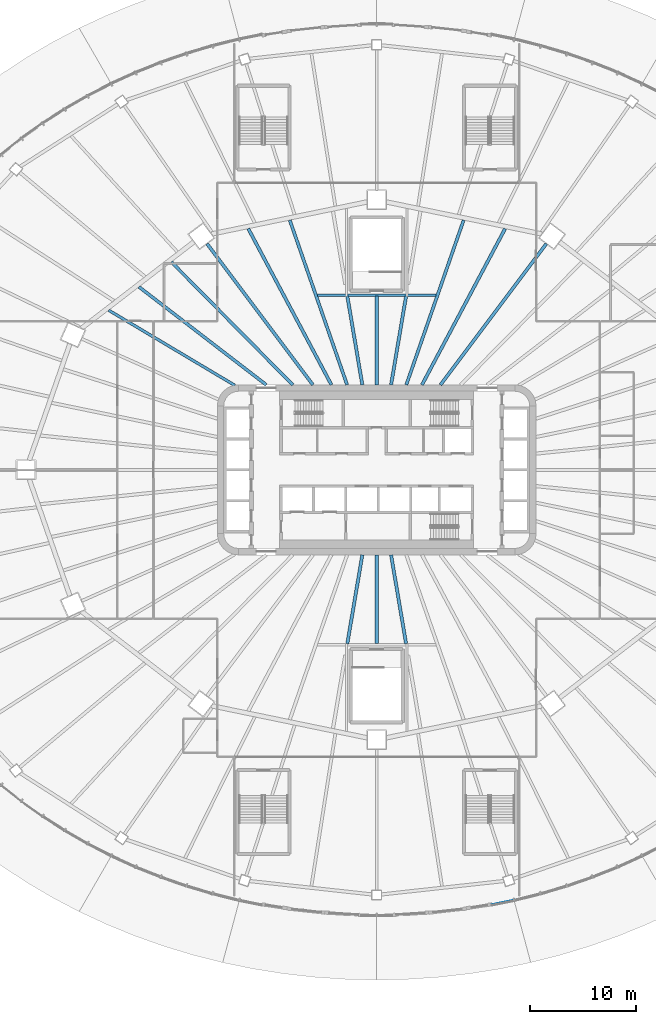
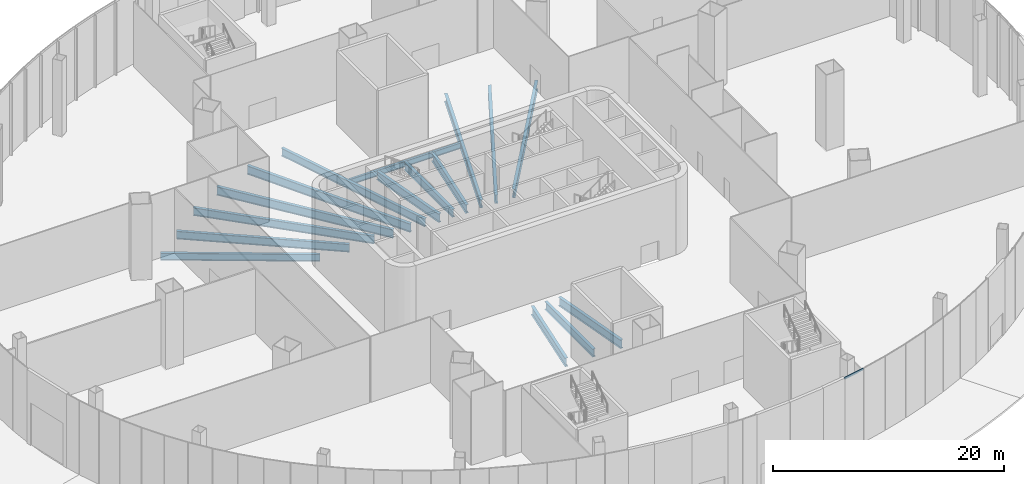
# One storey, part 5 of 36: 16 beams, 1 member, 1 element without a shape of its own.
"""IFC4 building model written with IfcOpenShell, lengths in metres."""

from ifc_helpers import new_model, si_unit, direction, frame, origin, origin_2d, place, context, subcontext, project, spatial, rectangle, i_section, extrude, material, layer, layer_set, material_profile, profile_set, type_object, element, aggregate, save


model = new_model("IFC4")

# Units and contexts
model_context = context("Model", 3, precision=1e-05, world=origin(), true_north=direction((0.0, 1.0)))
body_context = subcontext(model_context, "Body", "Model", "MODEL_VIEW")
ifc_project = project(units=[si_unit("LENGTHUNIT", "METRE"), si_unit("AREAUNIT", "SQUARE_METRE"), si_unit("VOLUMEUNIT", "CUBIC_METRE"), si_unit("PLANEANGLEUNIT", "RADIAN"), si_unit("MASSUNIT", "GRAM", prefix="KILO")], contexts=[model_context])

# Site, building, storey
site_placement = place(None, origin())
site = spatial("IfcSite", under=ifc_project, at=site_placement, CompositionType="ELEMENT")
building_placement = place(site_placement, origin())
building = spatial("IfcBuilding", under=site, at=building_placement, Name="Sahrelin Media Tower", CompositionType="ELEMENT")
storey_placement = place(building_placement, origin())
storey = spatial("IfcBuildingStorey", under=building, at=storey_placement, Name="L00", CompositionType="ELEMENT", Elevation=0.0)

# Beams
ifc_material_1 = material(Name="Steel S355", Category="steel")
ifc_material_profile_1 = material_profile(ifc_material_1, i_section(OverallWidth=0.2275390625, OverallDepth=0.6025390625, WebThickness=0.010498046875, FlangeThickness=0.014892578125, FilletRadius=0.0126953125, at=origin_2d()), Name="UB 610x229x101")
ifc_profile_set_1 = profile_set([ifc_material_profile_1], Name="Steel S355")
beam_type_1 = type_object("IfcBeamType", Name="Header beam HB7", PredefinedType="BEAM", material=ifc_profile_set_1)
beam_1_placement = place(storey_placement, frame((5.572265625, 16.449951171875, -0.601318359375), z_axis=(-1.0, 0.0, 0.0), x_axis=(0.0, -1.0, 0.0)))
element("IfcBeam", 1, at=beam_1_placement, inside=storey, type_object=beam_type_1, Name="Header beam L00-01", PredefinedType="BEAM", context=body_context, shape_type="SweptSolid", body=[
    extrude(i_section(OverallWidth=0.2275390625, OverallDepth=0.6025390625, WebThickness=0.010498046875, FlangeThickness=0.014892578125, FilletRadius=0.0126953125, at=origin_2d()), origin(), (0.0, 0.0, 1.0), 11.14453125),
])
ifc_material_profile_2 = material_profile(ifc_material_1, i_section(OverallWidth=0.291748046875, OverallDepth=0.8349609375, WebThickness=0.013916015625, FlangeThickness=0.018798828125, FilletRadius=0.017822265625, at=origin_2d()), Name="UB 838x292x176")
ifc_profile_set_2 = profile_set([ifc_material_profile_2], Name="Steel S355")
beam_type_2 = type_object("IfcBeamType", Name="Radial primary beam PB10", PredefinedType="BEAM", material=ifc_profile_set_2)
beam_2_placement = place(storey_placement, frame((2.784912109375, 8.0, -0.71728515625), z_axis=(0.328776215552, 0.944407856854, 0.0), x_axis=(-0.944407856854, 0.328776215552, 0.0)))
element("IfcBeam", 2, at=beam_2_placement, inside=storey, type_object=beam_type_2, Name="Radial beam L00-06", PredefinedType="BEAM", context=body_context, shape_type="SweptSolid", body=[
    extrude(i_section(OverallWidth=0.291748046875, OverallDepth=0.8349609375, WebThickness=0.013916015625, FlangeThickness=0.018798828125, FilletRadius=0.017822265625, at=origin_2d()), origin(), (0.0, 0.0, 1.0), 16.41162109375),
])
beam_3_placement = place(storey_placement, frame((0.0, 8.0, -0.71728515625), z_axis=(0.0, 1.0, 0.0), x_axis=(-1.0, 0.0, 0.0)))
element("IfcBeam", 3, at=beam_3_placement, inside=storey, type_object=beam_type_2, Name="Radial beam L00-07", PredefinedType="BEAM", context=body_context, shape_type="SweptSolid", body=[
    extrude(i_section(OverallWidth=0.291748046875, OverallDepth=0.8349609375, WebThickness=0.013916015625, FlangeThickness=0.018798828125, FilletRadius=0.017822265625, at=origin_2d()), origin(), (0.0, 0.0, 1.0), 8.35009765625),
])
beam_4_placement = place(storey_placement, frame((-2.784912109375, 8.0, -0.71728515625), z_axis=(-0.328776215552, 0.944407856854, 0.0), x_axis=(-0.944407856854, -0.328776215552, 0.0)))
element("IfcBeam", 4, at=beam_4_placement, inside=storey, type_object=beam_type_2, Name="Radial beam L00-08", PredefinedType="BEAM", context=body_context, shape_type="SweptSolid", body=[
    extrude(i_section(OverallWidth=0.291748046875, OverallDepth=0.8349609375, WebThickness=0.013916015625, FlangeThickness=0.018798828125, FilletRadius=0.017822265625, at=origin_2d()), origin(), (0.0, 0.0, 1.0), 16.41162109375),
])
beam_5_placement = place(storey_placement, frame((-10.393798828125, 8.0, -0.71728515625), z_axis=(-0.79244196099, 0.609947324335, 0.0), x_axis=(-0.609947324335, -0.79244196099, 0.0)))
element("IfcBeam", 5, at=beam_5_placement, inside=storey, type_object=beam_type_2, Name="Radial beam L00-10", PredefinedType="BEAM", context=body_context, shape_type="SweptSolid", body=[
    extrude(i_section(OverallWidth=0.291748046875, OverallDepth=0.8349609375, WebThickness=0.013916015625, FlangeThickness=0.018798828125, FilletRadius=0.017822265625, at=origin_2d()), origin(), (0.0, 0.0, 1.0), 15.1103515625),
])
beam_6_placement = place(storey_placement, frame((0.0, -8.0, -0.71728515625), z_axis=(0.0, -1.0, 0.0), x_axis=(1.0, 0.0, 0.0)))
element("IfcBeam", 6, at=beam_6_placement, inside=storey, type_object=beam_type_2, Name="Radial beam L00-19", PredefinedType="BEAM", context=body_context, shape_type="SweptSolid", body=[
    extrude(i_section(OverallWidth=0.291748046875, OverallDepth=0.8349609375, WebThickness=0.013916015625, FlangeThickness=0.018798828125, FilletRadius=0.017822265625, at=origin_2d()), origin(), (0.0, 0.0, 1.0), 8.35009765625),
])
ifc_material_profile_3 = material_profile(ifc_material_1, i_section(OverallWidth=0.30322265625, OverallDepth=0.903076171875, WebThickness=0.01513671875, FlangeThickness=0.020263671875, FilletRadius=0.01904296875, at=origin_2d()), Name="UB 914x305x201")
ifc_profile_set_3 = profile_set([ifc_material_profile_3], Name="Steel S355")
beam_type_3 = type_object("IfcBeamType", Name="Radial primary beam PB11", PredefinedType="BEAM", material=ifc_profile_set_3)
for number, where, z_axis, x_axis, name in (
    (7, (6.000732421875, 8.0, -0.75146484375), (0.600054130443, 0.799959399306, 0.0), (-0.799959399306, 0.600054130443, 0.0), "Radial beam L00-05"),
    (8, (-6.000732421875, 8.0, -0.75146484375), (-0.600054130443, 0.799959399306, 0.0), (-0.799959399306, -0.600054130443, 0.0), "Radial beam L00-09"),
):
    element("IfcBeam", number, at=place(storey_placement, frame(where, z_axis=z_axis, x_axis=x_axis)), inside=storey, type_object=beam_type_3, Name=name, PredefinedType="BEAM", context=body_context, shape_type="SweptSolid", body=[
        extrude(i_section(OverallWidth=0.30322265625, OverallDepth=0.903076171875, WebThickness=0.01513671875, FlangeThickness=0.020263671875, FilletRadius=0.01904296875, at=origin_2d()), origin(), (0.0, 0.0, 1.0), 16.59716796875),
    ])
ifc_material_profile_4 = material_profile(ifc_material_1, i_section(OverallWidth=0.291748046875, OverallDepth=0.8349609375, WebThickness=0.013916015625, FlangeThickness=0.018798828125, FilletRadius=0.017822265625, at=origin_2d()), Name="UB 838x292x176")
ifc_profile_set_4 = profile_set([ifc_material_profile_4], Name="Steel S355")
beam_type_4 = type_object("IfcBeamType", Name="Radial secondary beam SB10", PredefinedType="BEAM", material=ifc_profile_set_4)
beam_7_placement = place(storey_placement, frame((-7.901123046875, 8.0, -0.71728515625), z_axis=(-0.702706329063, 0.711480017355, 0.0), x_axis=(-0.711480017355, -0.702706329063, 0.0)))
element("IfcBeam", 9, at=beam_7_placement, inside=storey, type_object=beam_type_4, Name="Secondary beam L00-11", PredefinedType="BEAM", context=body_context, shape_type="SweptSolid", body=[
    extrude(i_section(OverallWidth=0.291748046875, OverallDepth=0.8349609375, WebThickness=0.013916015625, FlangeThickness=0.018798828125, FilletRadius=0.017822265625, at=origin_2d()), origin(), (0.0, 0.0, 1.0), 16.250732421875),
])
ifc_material_profile_5 = material_profile(ifc_material_1, i_section(OverallWidth=0.30322265625, OverallDepth=0.903076171875, WebThickness=0.01513671875, FlangeThickness=0.020263671875, FilletRadius=0.01904296875, at=origin_2d()), Name="UB 914x305x201")
ifc_profile_set_5 = profile_set([ifc_material_profile_5], Name="Steel S355")
beam_type_5 = type_object("IfcBeamType", Name="Radial secondary beam SB11", PredefinedType="BEAM", material=ifc_profile_set_5)
beam_8_placement = place(storey_placement, frame((4.259765625, 8.0, -0.75146484375), z_axis=(0.469997453325, 0.882667770947, 0.0), x_axis=(-0.882667770947, 0.469997453325, 0.0)))
element("IfcBeam", 10, at=beam_8_placement, inside=storey, type_object=beam_type_5, Name="Secondary beam L00-05", PredefinedType="BEAM", context=body_context, shape_type="SweptSolid", body=[
    extrude(i_section(OverallWidth=0.30322265625, OverallDepth=0.903076171875, WebThickness=0.01513671875, FlangeThickness=0.020263671875, FilletRadius=0.01904296875, at=origin_2d()), origin(), (0.0, 0.0, 1.0), 16.6474609375),
])
for number, where, z_axis, x_axis, name in (
    (11, (1.352783203125, 8.0, -0.75146484375), (0.166689280778, 0.986009474434, 0.0), (-0.986009474434, 0.166689280778, 0.0), "Secondary beam L00-06"),
    (12, (-1.352783203125, 8.0, -0.75146484375), (-0.166689280778, 0.986009474434, 0.0), (-0.986009474434, -0.166689280778, 0.0), "Secondary beam L00-08"),
):
    element("IfcBeam", number, at=place(storey_placement, frame(where, z_axis=z_axis, x_axis=x_axis)), inside=storey, type_object=beam_type_5, Name=name, PredefinedType="BEAM", context=body_context, shape_type="SweptSolid", body=[
        extrude(i_section(OverallWidth=0.30322265625, OverallDepth=0.903076171875, WebThickness=0.01513671875, FlangeThickness=0.020263671875, FilletRadius=0.01904296875, at=origin_2d()), origin(), (0.0, 0.0, 1.0), 8.468505859375),
    ])
beam_9_placement = place(storey_placement, frame((-4.259765625, 8.0, -0.75146484375), z_axis=(-0.469997453325, 0.882667770947, 0.0), x_axis=(-0.882667770947, -0.469997453325, 0.0)))
element("IfcBeam", 13, at=beam_9_placement, inside=storey, type_object=beam_type_5, Name="Secondary beam L00-10", PredefinedType="BEAM", context=body_context, shape_type="SweptSolid", body=[
    extrude(i_section(OverallWidth=0.30322265625, OverallDepth=0.903076171875, WebThickness=0.01513671875, FlangeThickness=0.020263671875, FilletRadius=0.01904296875, at=origin_2d()), origin(), (0.0, 0.0, 1.0), 16.6474609375),
])
for number, where, z_axis, x_axis, name in (
    (14, (-1.352783203125, -8.0, -0.75146484375), (-0.166689280778, -0.986009474434, 0.0), (0.986009474434, -0.166689280778, 0.0), "Secondary beam L00-20"),
    (15, (1.352783203125, -8.0, -0.75146484375), (0.166689280778, -0.986009474434, 0.0), (0.986009474434, 0.166689280778, 0.0), "Secondary beam L00-22"),
):
    element("IfcBeam", number, at=place(storey_placement, frame(where, z_axis=z_axis, x_axis=x_axis)), inside=storey, type_object=beam_type_5, Name=name, PredefinedType="BEAM", context=body_context, shape_type="SweptSolid", body=[
        extrude(i_section(OverallWidth=0.30322265625, OverallDepth=0.903076171875, WebThickness=0.01513671875, FlangeThickness=0.020263671875, FilletRadius=0.01904296875, at=origin_2d()), origin(), (0.0, 0.0, 1.0), 8.468505859375),
    ])
ifc_material_profile_6 = material_profile(ifc_material_1, i_section(OverallWidth=0.26513671875, OverallDepth=0.75390625, WebThickness=0.0126953125, FlangeThickness=0.017578125, FilletRadius=0.0166015625, at=origin_2d()), Name="UB 762x267x147")
ifc_profile_set_6 = profile_set([ifc_material_profile_6], Name="Steel S355")
beam_type_6 = type_object("IfcBeamType", Name="Radial secondary beam SB9", PredefinedType="BEAM", material=ifc_profile_set_6)
beam_10_placement = place(storey_placement, frame((-13.356201171875, 7.953125, -0.677001953125), z_axis=(-0.859199265621, 0.511641106594, 0.0), x_axis=(-0.511641106594, -0.859199265621, 0.0)))
element("IfcBeam", 16, at=beam_10_placement, inside=storey, type_object=beam_type_6, Name="Secondary beam L00-12", PredefinedType="BEAM", context=body_context, shape_type="SweptSolid", body=[
    extrude(i_section(OverallWidth=0.26513671875, OverallDepth=0.75390625, WebThickness=0.0126953125, FlangeThickness=0.017578125, FilletRadius=0.0166015625, at=origin_2d()), origin(), (0.0, 0.0, 1.0), 13.810791015625),
])

# Curtain wall, member
ifc_material_2 = material(Name="Champagne anodised aluminium 6063-T6", Category="aluminium")
ifc_layer = layer(ifc_material_2, 0.14990234375)
ifc_layer_set = layer_set([ifc_layer], Name="Entrance bay curtain wall")
curtain_wall_type = type_object("IfcCurtainWallType", Name="Entrance bay curtain wall", PredefinedType="NOTDEFINED", material=ifc_layer_set)
curtain_wall_placement = place(storey_placement, frame((10.8310546875, -40.994384765625, 0.0), z_axis=(0.0, 0.0, 1.0), x_axis=(1.0, 0.0, 0.0)))
curtain_wall = element("IfcCurtainWall", 17, at=curtain_wall_placement, inside=storey, type_object=curtain_wall_type, Name="L00:CW2:L00-P18", PredefinedType="NOTDEFINED")
ifc_material_profile_7 = material_profile(ifc_material_2, rectangle(XDim=0.080078125, YDim=0.199951171875, at=origin_2d()), Name="Transom 80x200")
ifc_profile_set_7 = profile_set([ifc_material_profile_7], Name="Champagne anodised aluminium 6063-T6")
member_type = type_object("IfcMemberType", Name="Transom 80x200 CW6", PredefinedType="USERDEFINED", material=ifc_profile_set_7)
member_placement = place(storey_placement, frame((10.819091796875, -40.935546875, 7.699951171875), z_axis=(0.98026533965, 0.19768627641, 0.0), x_axis=(-0.19768627641, 0.98026533965, 0.0)))
member = element("IfcMember", 18, at=member_placement, type_object=member_type, Name="L00:CWT5a:L00-P18", ObjectType="TRANSOM", PredefinedType="USERDEFINED", context=body_context, shape_type="SweptSolid", body=[
    extrude(rectangle(XDim=0.080078125, YDim=0.199951171875, at=origin_2d()), origin(), (0.0, 0.0, 1.0), 2.152587890625),
])
aggregate(curtain_wall, [member])

save(model, "model.ifc")
